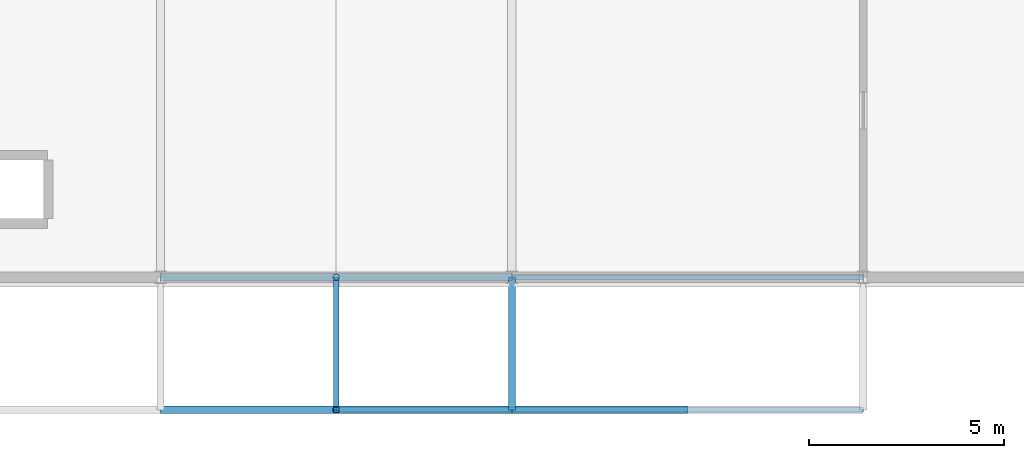
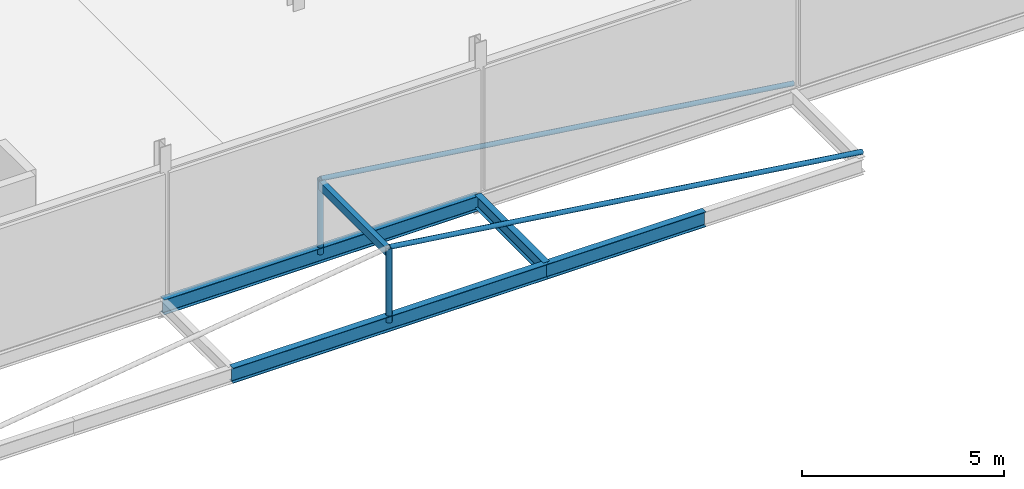
# One storey, part 61 of 140: 5 beams, 4 members.
"""IFC4 building model written with IfcOpenShell, lengths in metres."""

from ifc_helpers import new_model, si_unit, direction, frame, origin, origin_2d, place, context, subcontext, project, spatial, hollow_rectangle, hollow_circle, i_section, extrude, material, material_profile, profile_set, type_object, element, save


model = new_model("IFC4")

# Units and contexts
model_context = context("Model", 3, precision=1e-05, world=origin(), true_north=direction((0.0, 1.0)))
body_context = subcontext(model_context, "Body", "Model", "MODEL_VIEW")
ifc_project = project(units=[si_unit("LENGTHUNIT", "METRE"), si_unit("AREAUNIT", "SQUARE_METRE"), si_unit("VOLUMEUNIT", "CUBIC_METRE"), si_unit("PLANEANGLEUNIT", "RADIAN"), si_unit("MASSUNIT", "GRAM", prefix="KILO"), si_unit("THERMODYNAMICTEMPERATUREUNIT", "KELVIN"), si_unit("POWERUNIT", "WATT")], contexts=[model_context])

# Site, building, storey
site_placement = place(None, origin())
site = spatial("IfcSite", under=ifc_project, at=site_placement, CompositionType="ELEMENT")
building_placement = place(site_placement, origin())
building = spatial("IfcBuilding", under=site, at=building_placement, Name="Tallowbark Science Centre", CompositionType="ELEMENT")
storey_placement = place(building_placement, frame((0.0, 0.0, 9.89990234375)))
storey = spatial("IfcBuildingStorey", under=building, at=storey_placement, Name="L02", CompositionType="ELEMENT", Elevation=9.89990234375)

# Beam
ifc_material_1 = material(Name="Structural Steel Grade 300PLUS (300 MPa)", Category="steel")
ifc_material_profile_1 = material_profile(ifc_material_1, i_section(OverallWidth=0.177734375, OverallDepth=0.406494140625, WebThickness=0.0078125, FlangeThickness=0.0126953125, FilletRadius=0.011474609375, at=origin_2d()), Name="410UB59.7")
ifc_profile_set_1 = profile_set([ifc_material_profile_1], Name="Structural Steel Grade 300PLUS (300 MPa)")
beam_type_1 = type_object("IfcBeamType", Name="BM-UB410", PredefinedType="BEAM", material=ifc_profile_set_1)
beam_1_placement = place(storey_placement, frame((139.5, -3.39990234375, -0.383056640625), z_axis=(0.0, 1.0, 0.0), x_axis=(-1.0, 0.0, 0.0)))
element("IfcBeam", 1, at=beam_1_placement, inside=storey, type_object=beam_type_1, Name="Primary Girder GRDY-L02-1395--34-0", PredefinedType="BEAM", context=body_context, shape_type="SweptSolid", body=[
    extrude(i_section(OverallWidth=0.177734375, OverallDepth=0.406494140625, WebThickness=0.0078125, FlangeThickness=0.0126953125, FilletRadius=0.011474609375, at=origin_2d()), origin(), (0.0, 0.0, 1.0), 3.39990234375),
])

# Members
ifc_material_2 = material(Name="Structural Steel Grade C350L0 (350 MPa)", Category="steel")
ifc_material_profile_2 = material_profile(ifc_material_2, hollow_circle(Radius=0.06982421875, WallThickness=0.00634765625, at=origin_2d()), Name="139.7x6.3CHS")
ifc_profile_set_2 = profile_set([ifc_material_profile_2], Name="Structural Steel Grade C350L0 (350 MPa)")
member_type_1 = type_object("IfcMemberType", Name="RFT-139CHS", PredefinedType="RAFTER", material=ifc_profile_set_2)
for number, where, z_axis, x_axis, name in (
    (2, (135.0, -3.39990234375, 1.85009765625), (0.990739671254, 0.0, -0.135775195833), (0.0, 1.0, 0.0), "Theatre Portico Pediment Rafter E -3.4"),
    (3, (135.0, 0.0, 1.85009765625), (0.990739671254, 0.0, -0.135775195833), (0.0, 1.0, 0.0), "Theatre Portico Pediment Rafter E 0"),
):
    element("IfcMember", number, at=place(storey_placement, frame(where, z_axis=z_axis, x_axis=x_axis)), inside=storey, type_object=member_type_1, Name=name, PredefinedType="RAFTER", context=body_context, shape_type="SweptSolid", body=[
        extrude(hollow_circle(Radius=0.06982421875, WallThickness=0.00634765625, at=origin_2d()), origin(), (0.0, 0.0, 1.0), 13.626220703125),
    ])

# Beams
ifc_material_3 = material(Name="White Architectural Painted Steel Grade C350L0 (350 MPa)", Category="steel")
ifc_material_profile_3 = material_profile(ifc_material_3, hollow_rectangle(XDim=0.14990234375, YDim=0.25, WallThickness=0.009033203125, at=origin_2d()), Name="250x150x9.0RHS")
ifc_profile_set_3 = profile_set([ifc_material_profile_3], Name="White Architectural Painted Steel Grade C350L0 (350 MPa)")
beam_type_2 = type_object("IfcBeamType", Name="SPN-RHS250", PredefinedType="SPANDREL", material=ifc_profile_set_3)
beam_2_placement = place(storey_placement, frame((135.0, -3.39990234375, 1.710205078125), z_axis=(0.0, 1.0, 0.0), x_axis=(-1.0, 0.0, 0.0)))
element("IfcBeam", 4, at=beam_2_placement, inside=storey, type_object=beam_type_2, Name="Theatre Portico Pediment Ridge Beam", PredefinedType="SPANDREL", context=body_context, shape_type="SweptSolid", body=[
    extrude(hollow_rectangle(XDim=0.14990234375, YDim=0.25, WallThickness=0.009033203125, at=origin_2d()), origin(), (0.0, 0.0, 1.0), 3.39990234375),
])
ifc_material_profile_4 = material_profile(ifc_material_1, i_section(OverallWidth=0.18994140625, OverallDepth=0.453857421875, WebThickness=0.008544921875, FlangeThickness=0.0126953125, FilletRadius=0.011474609375, at=origin_2d()), Name="460UB67.1")
ifc_profile_set_4 = profile_set([ifc_material_profile_4], Name="Structural Steel Grade 300PLUS (300 MPa)")
beam_type_3 = type_object("IfcBeamType", Name="SPN-UB460", PredefinedType="SPANDREL", material=ifc_profile_set_4)
beam_3_placement = place(storey_placement, frame((130.5, -3.39990234375, -0.40673828125), z_axis=(1.0, 0.0, 0.0), x_axis=(0.0, 1.0, 0.0)))
element("IfcBeam", 5, at=beam_3_placement, inside=storey, type_object=beam_type_3, Name="Primary Girder GRDX-L02-1305-1395--34", PredefinedType="SPANDREL", context=body_context, shape_type="SweptSolid", body=[
    extrude(i_section(OverallWidth=0.18994140625, OverallDepth=0.453857421875, WebThickness=0.008544921875, FlangeThickness=0.0126953125, FilletRadius=0.011474609375, at=origin_2d()), origin(), (0.0, 0.0, 1.0), 9.0),
])
beam_4_placement = place(storey_placement, frame((139.5, -3.39990234375, -0.40673828125), z_axis=(1.0, 0.0, 0.0), x_axis=(0.0, 1.0, 0.0)))
element("IfcBeam", 6, at=beam_4_placement, inside=storey, type_object=beam_type_3, Name="Primary Girder GRDX-L02-1395-1440--34", PredefinedType="SPANDREL", context=body_context, shape_type="SweptSolid", body=[
    extrude(i_section(OverallWidth=0.18994140625, OverallDepth=0.453857421875, WebThickness=0.008544921875, FlangeThickness=0.0126953125, FilletRadius=0.011474609375, at=origin_2d()), origin(), (0.0, 0.0, 1.0), 4.5),
])
beam_5_placement = place(storey_placement, frame((130.5, 0.0, -0.40673828125), z_axis=(1.0, 0.0, 0.0), x_axis=(0.0, 1.0, 0.0)))
element("IfcBeam", 7, at=beam_5_placement, inside=storey, type_object=beam_type_3, Name="Primary Girder GRDX-L02-1305-1395-0", PredefinedType="SPANDREL", context=body_context, shape_type="SweptSolid", body=[
    extrude(i_section(OverallWidth=0.18994140625, OverallDepth=0.453857421875, WebThickness=0.008544921875, FlangeThickness=0.0126953125, FilletRadius=0.011474609375, at=origin_2d()), origin(), (0.0, 0.0, 1.0), 9.0),
])

# Members
ifc_material_profile_5 = material_profile(ifc_material_3, hollow_circle(Radius=0.084228515625, WallThickness=0.007080078125, at=origin_2d()), Name="168.3x7.1CHS")
ifc_profile_set_5 = profile_set([ifc_material_profile_5], Name="White Architectural Painted Steel Grade C350L0 (350 MPa)")
member_type_2 = type_object("IfcMemberType", Name="TR-WEB168", PredefinedType="BRACE", material=ifc_profile_set_5)
for number, where, z_axis, x_axis, name in (
    (8, (135.0, -3.39990234375, -0.389892578125), (0.0, 0.0, 1.0), (1.0, 0.0, 0.0), "Theatre Portico King Post S"),
    (9, (135.0, 0.0, -0.389892578125), (0.0, 0.0, 1.0), (1.0, 0.0, 0.0), "Theatre Portico King Post N"),
):
    element("IfcMember", number, at=place(storey_placement, frame(where, z_axis=z_axis, x_axis=x_axis)), inside=storey, type_object=member_type_2, Name=name, PredefinedType="BRACE", context=body_context, shape_type="SweptSolid", body=[
        extrude(hollow_circle(Radius=0.084228515625, WallThickness=0.007080078125, at=origin_2d()), origin(), (0.0, 0.0, 1.0), 2.239990234375),
    ])

save(model, "model.ifc")
